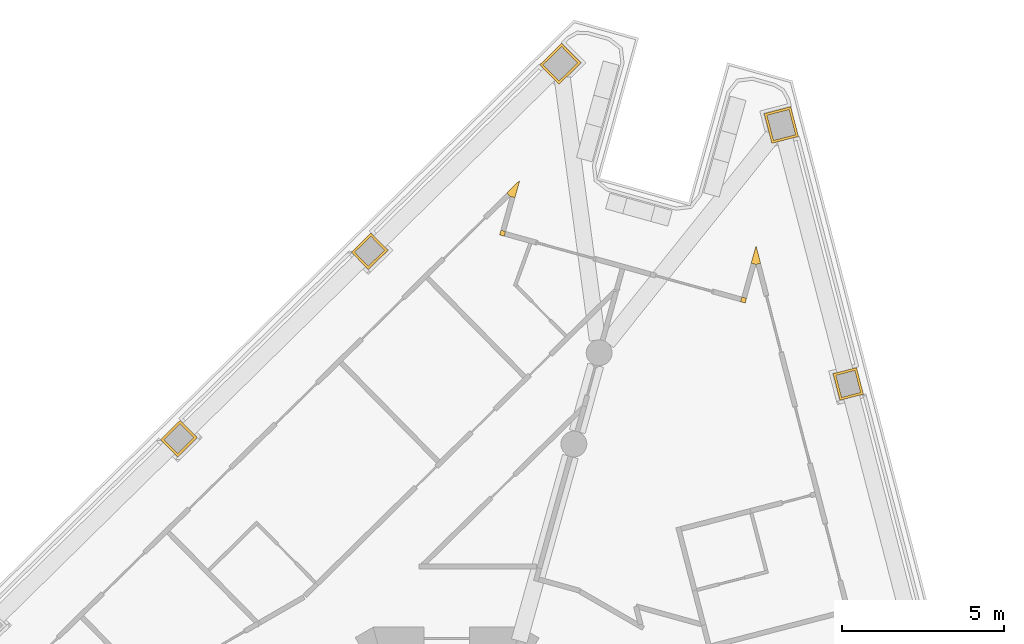
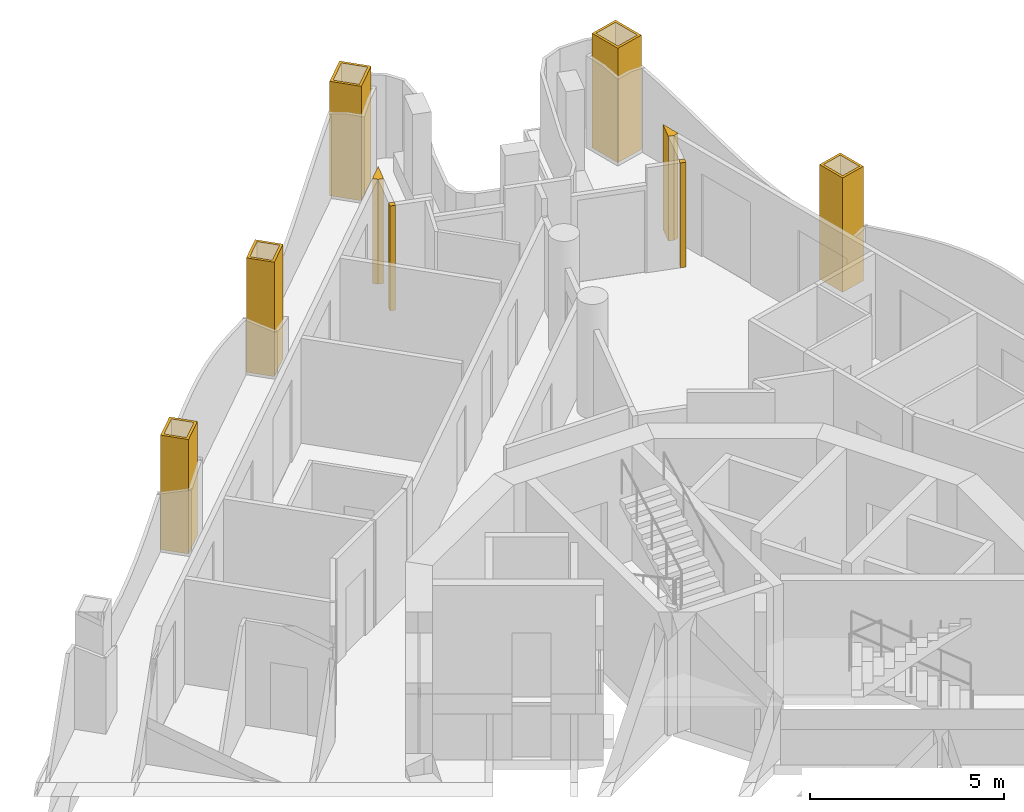
# One storey, part 13 of 14: 9 coverings.
"""IFC4 building model written with IfcOpenShell, lengths in metres."""

from ifc_helpers import new_model, si_unit, direction, frame, origin, place, context, subcontext, project, spatial, polyline, outline, extrude, material, layer, layer_set, type_object, element, save


model = new_model("IFC4")

# Units and contexts
model_context = context("Model", 3, precision=1e-05, world=origin(), true_north=direction((0.0, 1.0)))
body_context = subcontext(model_context, "Body", "Model", "MODEL_VIEW")
ifc_project = project(units=[si_unit("LENGTHUNIT", "METRE"), si_unit("AREAUNIT", "SQUARE_METRE"), si_unit("VOLUMEUNIT", "CUBIC_METRE"), si_unit("PLANEANGLEUNIT", "RADIAN"), si_unit("MASSUNIT", "GRAM", prefix="KILO")], contexts=[model_context])

# Site, building, storey
site_placement = place(None, origin())
site = spatial("IfcSite", under=ifc_project, at=site_placement, CompositionType="ELEMENT")
building_placement = place(site_placement, origin())
building = spatial("IfcBuilding", under=site, at=building_placement, Name="Trine Commons Tower", CompositionType="ELEMENT")
storey_placement = place(building_placement, frame((0.0, 0.0, 252.89990234375)))
storey = spatial("IfcBuildingStorey", under=building, at=storey_placement, Name="L66", CompositionType="ELEMENT", Elevation=252.89990234375)

# Coverings
ifc_material_1 = material(Name="Aluminium-framed insulated wall panel", Category="aluminium")
ifc_layer_1 = layer(ifc_material_1, 0.14990234375)
ifc_layer_set_1 = layer_set([ifc_layer_1], Name="Aluminium-framed insulated wall panel")
covering_type_1 = type_object("IfcCoveringType", Name="Glazing corner post, aluminium", PredefinedType="CLADDING", material=ifc_layer_set_1)
covering_1_placement = place(storey_placement, origin())
element("IfcCovering", 1, at=covering_1_placement, inside=storey, type_object=covering_type_1, Name="Glazing corner post 7-02", PredefinedType="CLADDING", context=body_context, shape_type="SweptSolid", body=[
    extrude(outline(polyline([(82.107177734375, 84.280029296875), (82.256591796875, 84.819580078125), (81.857421875, 84.42724609375), (81.962646484375, 84.3203125), (82.107177734375, 84.280029296875)])), origin(), (0.0, 0.0, 1.0), 3.300048828125),
])
covering_2_placement = place(storey_placement, origin())
element("IfcCovering", 2, at=covering_2_placement, inside=storey, type_object=covering_type_1, Name="Glazing corner post 7-03", PredefinedType="CLADDING", context=body_context, shape_type="SweptSolid", body=[
    extrude(outline(polyline([(81.77685546875, 83.08935546875), (81.81689453125, 83.23388671875), (81.67236328125, 83.27392578125), (81.63232421875, 83.12939453125), (81.77685546875, 83.08935546875)])), origin(), (0.0, 0.0, 1.0), 3.300048828125),
])
covering_3_placement = place(storey_placement, origin())
element("IfcCovering", 3, at=covering_3_placement, inside=storey, type_object=covering_type_1, Name="Glazing corner post 7-04", PredefinedType="CLADDING", context=body_context, shape_type="SweptSolid", body=[
    extrude(outline(polyline([(89.081298828125, 81.063720703125), (89.225830078125, 81.023681640625), (89.265869140625, 81.168212890625), (89.121337890625, 81.208251953125), (89.081298828125, 81.063720703125)])), origin(), (0.0, 0.0, 1.0), 3.300048828125),
])
covering_4_placement = place(storey_placement, origin())
element("IfcCovering", 4, at=covering_4_placement, inside=storey, type_object=covering_type_1, Name="Glazing corner post 7-05", PredefinedType="CLADDING", context=body_context, shape_type="SweptSolid", body=[
    extrude(outline(polyline([(89.411376953125, 82.25439453125), (89.555908203125, 82.21435546875), (89.701171875, 82.251953125), (89.56103515625, 82.7939453125), (89.411376953125, 82.25439453125)])), origin(), (0.0, 0.0, 1.0), 3.300048828125),
])
ifc_material_2 = material(Name="Limestone, honed", Category="masonry")
ifc_layer_2 = layer(ifc_material_2, 0.074951171875)
ifc_layer_set_2 = layer_set([ifc_layer_2], Name="Limestone, honed")
covering_type_2 = type_object("IfcCoveringType", Name="Limestone column cladding 75", PredefinedType="CLADDING", material=ifc_layer_set_2)
covering_5_placement = place(storey_placement, origin())
element("IfcCovering", 5, at=covering_5_placement, inside=storey, type_object=covering_type_2, Name="Limestone pier cladding 7-10", PredefinedType="CLADDING", context=body_context, shape_type="SweptSolid", body=[
    extrude(outline(polyline([(72.281005859375, 76.860107421875), (71.755126953125, 77.39501953125), (71.14892578125, 76.79931640625), (71.674560546875, 76.26416015625), (72.281005859375, 76.860107421875)]), holes=[polyline([(72.1748046875, 76.86083984375), (71.75439453125, 77.288818359375), (71.2548828125, 76.79833984375), (71.675537109375, 76.370361328125), (72.1748046875, 76.86083984375)])]), origin(), (0.0, 0.0, 1.0), 3.60009765625),
])
covering_6_placement = place(storey_placement, origin())
element("IfcCovering", 6, at=covering_6_placement, inside=storey, type_object=covering_type_2, Name="Limestone pier cladding 7-11", PredefinedType="CLADDING", context=body_context, shape_type="SweptSolid", body=[
    extrude(outline(polyline([(78.178466796875, 82.655517578125), (77.65283203125, 83.190673828125), (77.04638671875, 82.5947265625), (77.572265625, 82.059814453125), (78.178466796875, 82.655517578125)]), holes=[polyline([(78.072509765625, 82.656494140625), (77.65185546875, 83.08447265625), (77.152587890625, 82.593994140625), (77.572998046875, 82.166015625), (78.072509765625, 82.656494140625)])]), origin(), (0.0, 0.0, 1.0), 3.60009765625),
])
covering_7_placement = place(storey_placement, origin())
element("IfcCovering", 7, at=covering_7_placement, inside=storey, type_object=covering_type_2, Name="Limestone pier cladding 7-12", PredefinedType="CLADDING", context=body_context, shape_type="SweptSolid", body=[
    extrude(outline(polyline([(84.14697265625, 88.45068359375), (83.551025390625, 89.056884765625), (82.87353515625, 88.39111328125), (83.46923828125, 87.78466796875), (84.14697265625, 88.45068359375)]), holes=[polyline([(84.040771484375, 88.451416015625), (83.55029296875, 88.95068359375), (82.9794921875, 88.39013671875), (83.47021484375, 87.890869140625), (84.040771484375, 88.451416015625)])]), origin(), (0.0, 0.0, 1.0), 3.60009765625),
])
covering_8_placement = place(storey_placement, origin())
element("IfcCovering", 8, at=covering_8_placement, inside=storey, type_object=covering_type_2, Name="Limestone pier cladding 7-13", PredefinedType="CLADDING", context=body_context, shape_type="SweptSolid", body=[
    extrude(outline(polyline([(90.6337890625, 87.0927734375), (89.81103515625, 86.8798828125), (90.048828125, 85.960205078125), (90.871826171875, 86.1728515625), (90.6337890625, 87.0927734375)]), holes=[polyline([(90.580078125, 87.001220703125), (89.90234375, 86.825927734375), (90.102783203125, 86.051513671875), (90.780517578125, 86.226806640625), (90.580078125, 87.001220703125)])]), origin(), (0.0, 0.0, 1.0), 3.60009765625),
])
covering_9_placement = place(storey_placement, origin())
element("IfcCovering", 9, at=covering_9_placement, inside=storey, type_object=covering_type_2, Name="Limestone pier cladding 7-14", PredefinedType="CLADDING", context=body_context, shape_type="SweptSolid", body=[
    extrude(outline(polyline([(92.668212890625, 79.0263671875), (91.942138671875, 78.838623046875), (92.155029296875, 78.015625), (92.881103515625, 78.203369140625), (92.668212890625, 79.0263671875)]), holes=[polyline([(92.614501953125, 78.93505859375), (92.03369140625, 78.78466796875), (92.208984375, 78.10693359375), (92.789794921875, 78.25732421875), (92.614501953125, 78.93505859375)])]), origin(), (0.0, 0.0, 1.0), 3.60009765625),
])

save(model, "model.ifc")
